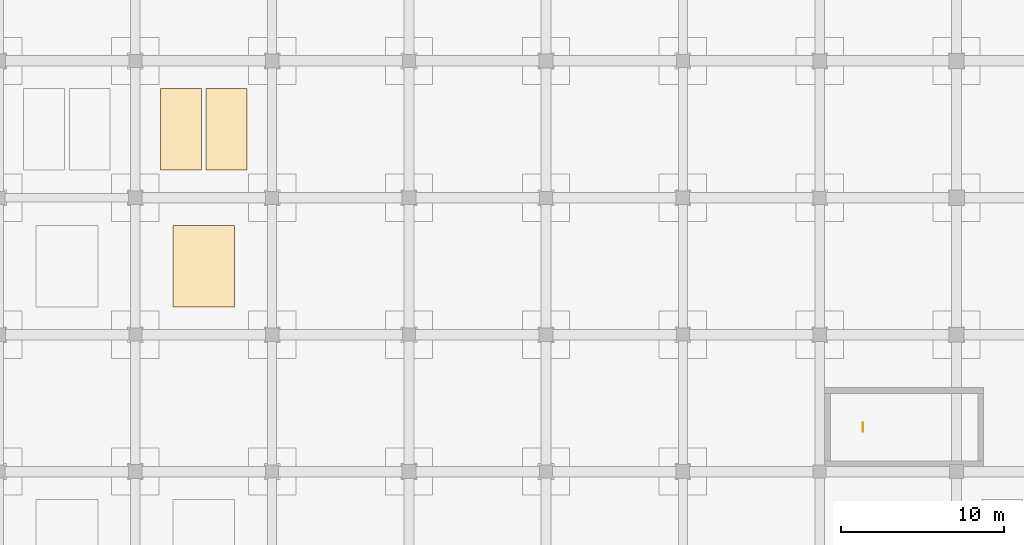
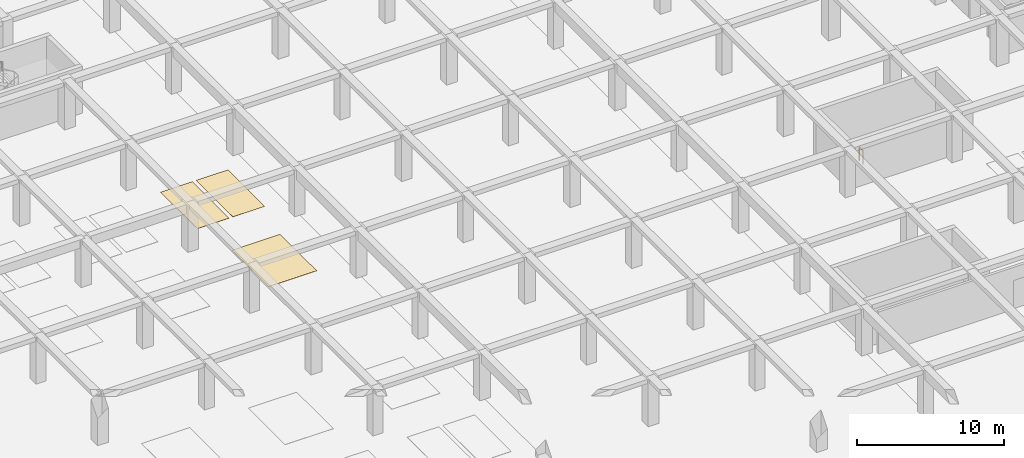
# One storey, part 28 of 32: 3 coverings, 1 railing.
"""IFC4 building model written with IfcOpenShell, lengths in metres."""

from ifc_helpers import new_model, si_unit, direction, frame, origin, origin_2d, place, context, subcontext, project, spatial, rectangle, circle, extrude, material, layer, layer_set, type_object, element, save


model = new_model("IFC4")

# Units and contexts
model_context = context("Model", 3, precision=1e-05, world=origin(), true_north=direction((0.0, 1.0)))
body_context = subcontext(model_context, "Body", "Model", "MODEL_VIEW")
ifc_project = project(units=[si_unit("LENGTHUNIT", "METRE"), si_unit("AREAUNIT", "SQUARE_METRE"), si_unit("VOLUMEUNIT", "CUBIC_METRE"), si_unit("PLANEANGLEUNIT", "RADIAN"), si_unit("MASSUNIT", "GRAM", prefix="KILO")], contexts=[model_context])

# Site, building, storey
site_placement = place(None, origin())
site = spatial("IfcSite", under=ifc_project, at=site_placement, CompositionType="ELEMENT")
building_placement = place(site_placement, origin())
building = spatial("IfcBuilding", under=site, at=building_placement, Name="Almacenes y Pasaje Nevantli", CompositionType="ELEMENT")
storey_placement = place(building_placement, frame((0.0, 0.0, -4.199951171875)))
storey = spatial("IfcBuildingStorey", under=building, at=storey_placement, Name="B01", CompositionType="ELEMENT", Elevation=-4.199951171875)

# Coverings
ifc_material_1 = material(Name="Thermoplastic Accessible Stall Marking", Category="stone")
ifc_layer_1 = layer(ifc_material_1, 0.010009765625)
ifc_layer_set_1 = layer_set([ifc_layer_1], Name="Thermoplastic Accessible Stall Marking")
covering_type_1 = type_object("IfcCoveringType", Name="COV-PARK-ACC", PredefinedType="FLOORING", material=ifc_layer_set_1)
covering_placement = place(storey_placement, frame((63.0, 71.39990234375, 0.0), z_axis=(0.0, 0.0, 1.0), x_axis=(1.0, 0.0, 0.0)))
element("IfcCovering", 1, at=covering_placement, inside=storey, type_object=covering_type_1, Name="B01 Accessible Parking Bay Marking #28", PredefinedType="FLOORING", context=body_context, shape_type="SweptSolid", body=[
    extrude(rectangle(XDim=3.800048828125, YDim=5.0, at=origin_2d()), origin(), (0.0, 0.0, 1.0), 0.010009765625),
])
ifc_material_2 = material(Name="Thermoplastic Traffic Deck Marking", Category="stone")
ifc_layer_2 = layer(ifc_material_2, 0.010009765625)
ifc_layer_set_2 = layer_set([ifc_layer_2], Name="Thermoplastic Traffic Deck Marking")
covering_type_2 = type_object("IfcCoveringType", Name="COV-PARK-BAY", PredefinedType="FLOORING", material=ifc_layer_set_2)
for number, where, z_axis, x_axis, name in (
    (2, (61.60009765625, 79.800048828125, 0.0), (0.0, 0.0, 1.0), (1.0, 0.0, 0.0), "B01 Underground Parking Bay Marking #95"),
    (3, (64.39990234375, 79.800048828125, 0.0), (0.0, 0.0, 1.0), (1.0, 0.0, 0.0), "B01 Underground Parking Bay Marking #96"),
):
    element("IfcCovering", number, at=place(storey_placement, frame(where, z_axis=z_axis, x_axis=x_axis)), inside=storey, type_object=covering_type_2, Name=name, PredefinedType="FLOORING", context=body_context, shape_type="SweptSolid", body=[
        extrude(rectangle(XDim=2.5, YDim=5.0, at=origin_2d()), origin(), (0.0, 0.0, 1.0), 0.010009765625),
    ])

# Railing
ifc_material_3 = material(Name="Brushed Stainless Steel and Tempered Safety Glass", Category="steel")
railing_type = type_object("IfcRailingType", Name="RL-GUARD-1100", PredefinedType="BALUSTRADE", material=ifc_material_3)
railing_placement = place(storey_placement, frame((103.4599609375, 61.260009765625, 0.0)))
element("IfcRailing", 4, at=railing_placement, inside=storey, type_object=railing_type, Name="B01 Stair ST-13 Landing Well Slot Guard", PredefinedType="BALUSTRADE", context=body_context, shape_type="SweptSolid", body=[
    extrude(circle(Radius=0.02392578125, at=origin_2d()), frame((0.0, 0.030029296875, 1.1259765625), z_axis=(0.0, 1.0, 0.0), x_axis=(-1.0, 0.0, 0.0)), (0.0, 0.0, 1.0), 0.469970703125),
    extrude(circle(Radius=0.02099609375, at=origin_2d()), origin(), (0.0, 0.0, 1.0), 1.096923828125),
    extrude(circle(Radius=0.02099609375, at=origin_2d()), frame((0.0, 0.530029296875, 0.0)), (0.0, 0.0, 1.0), 1.096923828125),
])

save(model, "model.ifc")
